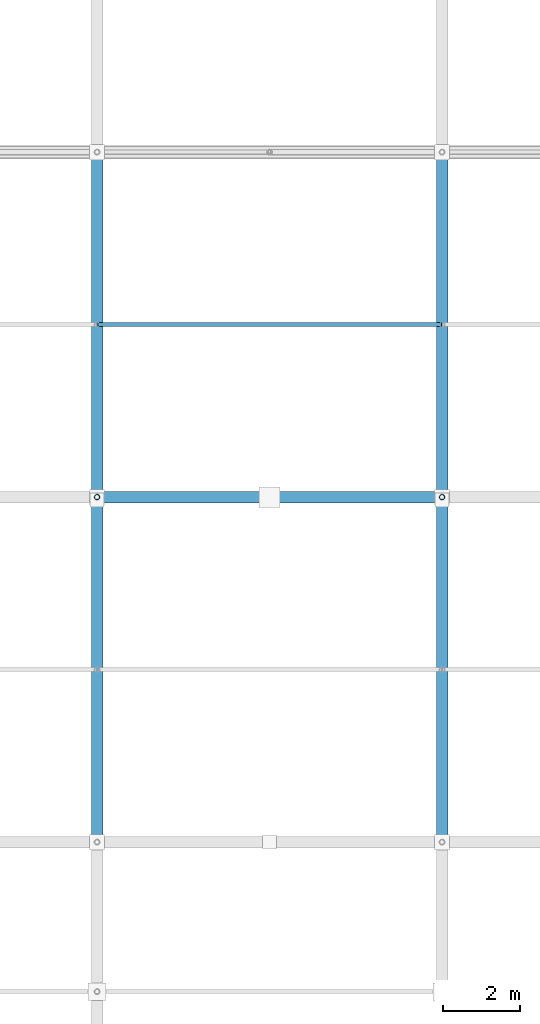
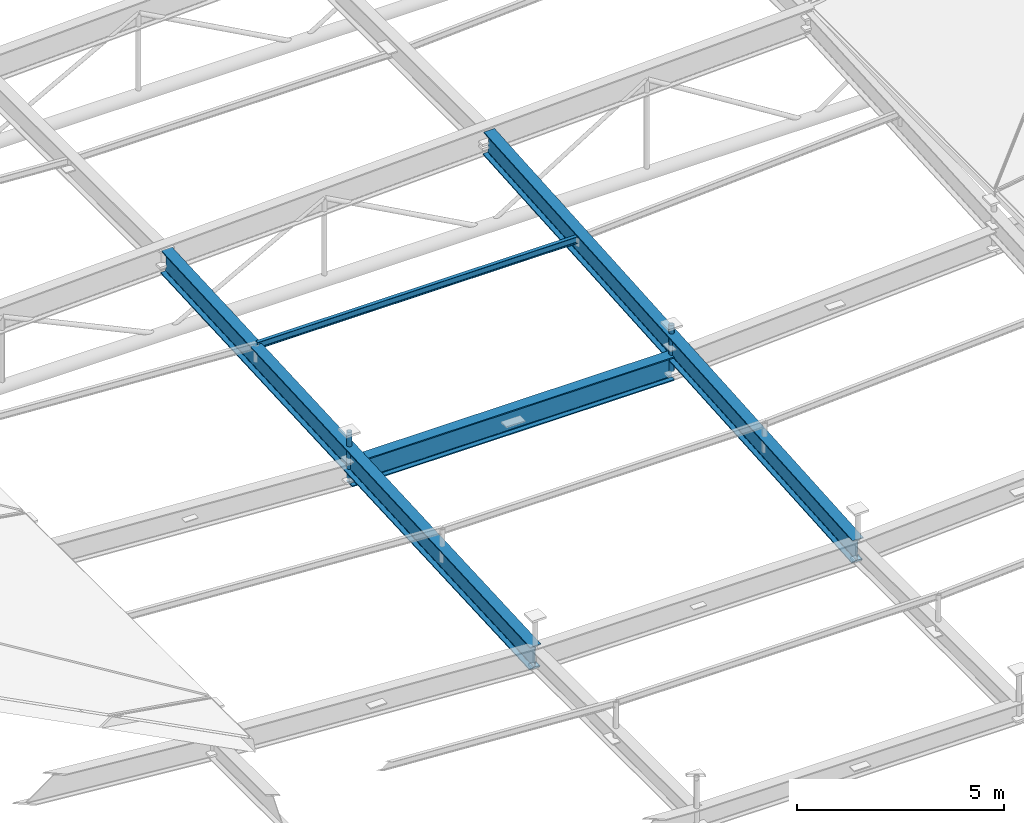
# One storey, part 18 of 80: 3 beams, 3 members.
"""IFC4 building model written with IfcOpenShell, lengths in metres."""

from ifc_helpers import new_model, si_unit, direction, frame, origin, origin_2d, place, context, subcontext, project, spatial, hollow_circle, i_section, extrude, material, material_profile, profile_set, type_object, element, save


model = new_model("IFC4")

# Units and contexts
model_context = context("Model", 3, precision=1e-05, world=origin(), true_north=direction((0.0, 1.0)))
body_context = subcontext(model_context, "Body", "Model", "MODEL_VIEW")
ifc_project = project(units=[si_unit("LENGTHUNIT", "METRE"), si_unit("AREAUNIT", "SQUARE_METRE"), si_unit("VOLUMEUNIT", "CUBIC_METRE"), si_unit("PLANEANGLEUNIT", "RADIAN"), si_unit("MASSUNIT", "GRAM", prefix="KILO")], contexts=[model_context])

# Site, building, storey
site_placement = place(None, origin())
site = spatial("IfcSite", under=ifc_project, at=site_placement, CompositionType="ELEMENT")
building_placement = place(site_placement, origin())
building = spatial("IfcBuilding", under=site, at=building_placement, Name="Barlavento Convention Centre", CompositionType="ELEMENT")
storey_placement = place(building_placement, frame((0.0, 0.0, 29.800048828125)))
storey = spatial("IfcBuildingStorey", under=building, at=storey_placement, Name="RF", CompositionType="ELEMENT", Elevation=29.800048828125)

# Beams
ifc_material_1 = material(Name="Steel S460", Category="steel")
ifc_material_profile_1 = material_profile(ifc_material_1, i_section(OverallWidth=0.300048828125, OverallDepth=0.699951171875, WebThickness=0.01708984375, FlangeThickness=0.031982421875, FilletRadius=0.027099609375, at=origin_2d()), Name="HEB 700")
ifc_profile_set_1 = profile_set([ifc_material_profile_1], Name="Steel S460")
beam_type = type_object("IfcBeamType", Name="STR-BM-TRUSS-TOP-HEB700", PredefinedType="BEAM", material=ifc_profile_set_1)
beam_1_placement = place(storey_placement, frame((27.0048828125, 9.0, -1.800048828125), z_axis=(1.0, 0.0, 0.0), x_axis=(0.0, 1.0, 0.0)))
element("IfcBeam", 1, at=beam_1_placement, inside=storey, type_object=beam_type, Name="Congress roof truss space frame chord", PredefinedType="BEAM", context=body_context, shape_type="SweptSolid", body=[
    extrude(i_section(OverallWidth=0.300048828125, OverallDepth=0.699951171875, WebThickness=0.01708984375, FlangeThickness=0.031982421875, FilletRadius=0.027099609375, at=origin_2d()), origin(), (0.0, 0.0, 1.0), 8.990234375),
])
beam_2_placement = place(storey_placement, frame((27.0, 0.0048828125, -1.800048828125), z_axis=(0.0, 0.998738428158, 0.050215058709), x_axis=(-1.0, 0.0, 0.0)))
element("IfcBeam", 2, at=beam_2_placement, inside=storey, type_object=beam_type, Name="Congress roof truss space frame chord", PredefinedType="BEAM", context=body_context, shape_type="SweptSolid", body=[
    extrude(i_section(OverallWidth=0.300048828125, OverallDepth=0.699951171875, WebThickness=0.01708984375, FlangeThickness=0.031982421875, FilletRadius=0.027099609375, at=origin_2d()), origin(), (0.0, 0.0, 1.0), 17.862548828125),
])
beam_3_placement = place(storey_placement, frame((36.0, 0.0048828125, -1.800048828125), z_axis=(0.0, 0.997554314815, 0.069895557755), x_axis=(-1.0, 0.0, 0.0)))
element("IfcBeam", 3, at=beam_3_placement, inside=storey, type_object=beam_type, Name="Congress roof truss space frame chord", PredefinedType="BEAM", context=body_context, shape_type="SweptSolid", body=[
    extrude(i_section(OverallWidth=0.300048828125, OverallDepth=0.699951171875, WebThickness=0.01708984375, FlangeThickness=0.031982421875, FilletRadius=0.027099609375, at=origin_2d()), origin(), (0.0, 0.0, 1.0), 17.8837890625),
])

# Members
ifc_material_2 = material(Name="Steel S355", Category="steel")
ifc_material_profile_2 = material_profile(ifc_material_2, hollow_circle(Radius=0.06982421875, WallThickness=0.008056640625, at=origin_2d()), Name="CHS 139.7x8.0")
ifc_profile_set_2 = profile_set([ifc_material_profile_2], Name="Steel S355")
member_type_1 = type_object("IfcMemberType", Name="STR-MEM-DIAG-CHS139", PredefinedType="BRACE", material=ifc_profile_set_2)
for number, where, z_axis, x_axis, name in (
    (4, (27.0, 9.0, -1.949951171875), (0.0, 0.0, 1.0), (1.0, 0.0, 0.0), "Congress space frame vertical node post TD04"),
    (5, (36.0, 9.0, -1.949951171875), (0.0, 0.0, 1.0), (1.0, 0.0, 0.0), "Congress space frame vertical node post TD04"),
):
    element("IfcMember", number, at=place(storey_placement, frame(where, z_axis=z_axis, x_axis=x_axis)), inside=storey, type_object=member_type_1, Name=name, PredefinedType="BRACE", context=body_context, shape_type="SweptSolid", body=[
        extrude(hollow_circle(Radius=0.06982421875, WallThickness=0.008056640625, at=origin_2d()), origin(), (0.0, 0.0, 1.0), 1.369873046875),
    ])
ifc_material_profile_3 = material_profile(ifc_material_2, i_section(OverallWidth=0.10009765625, OverallDepth=0.199951171875, WebThickness=0.005615234375, FlangeThickness=0.008544921875, FilletRadius=0.011962890625, at=origin_2d()), Name="IPE 200")
ifc_profile_set_3 = profile_set([ifc_material_profile_3], Name="Steel S355")
member_type_2 = type_object("IfcMemberType", Name="STR-MEM-PUR-IPE200", PredefinedType="PURLIN", material=ifc_profile_set_3)
member_placement = place(storey_placement, frame((27.02001953125, 13.5, -0.778076171875), z_axis=(1.0, 0.0, 0.0), x_axis=(0.0, 1.0, 0.0)))
element("IfcMember", 6, at=member_placement, inside=storey, type_object=member_type_2, Name="Congress roof intermediate purlin PR01", PredefinedType="PURLIN", context=body_context, shape_type="SweptSolid", body=[
    extrude(i_section(OverallWidth=0.10009765625, OverallDepth=0.199951171875, WebThickness=0.005615234375, FlangeThickness=0.008544921875, FilletRadius=0.011962890625, at=origin_2d()), origin(), (0.0, 0.0, 1.0), 8.9599609375),
])

save(model, "model.ifc")
